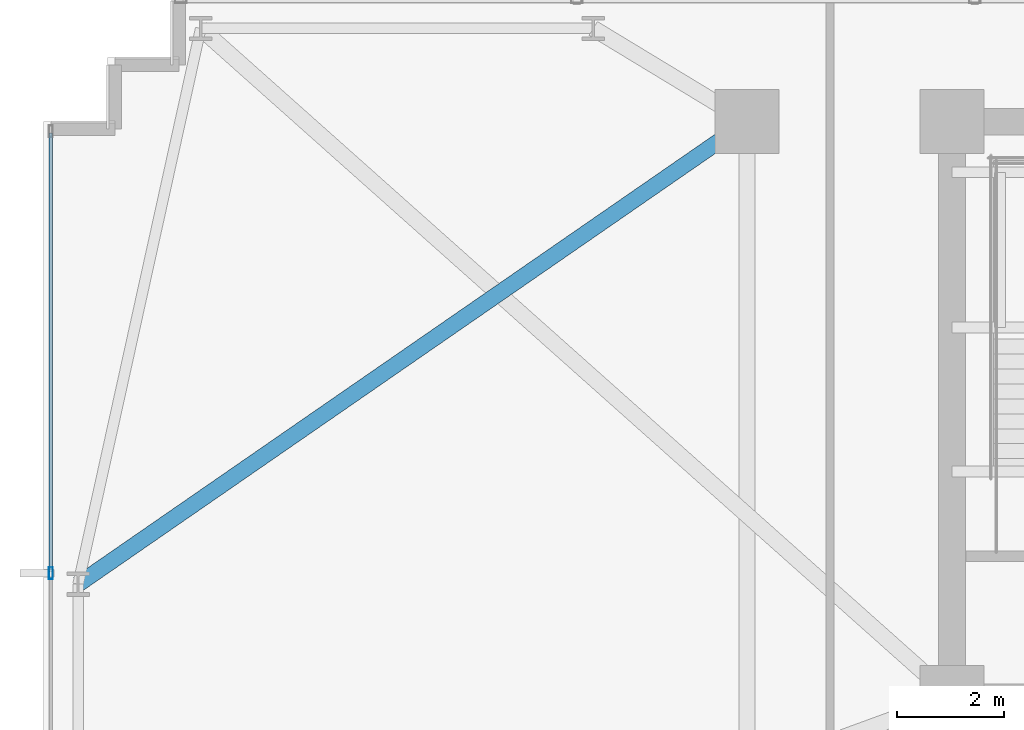
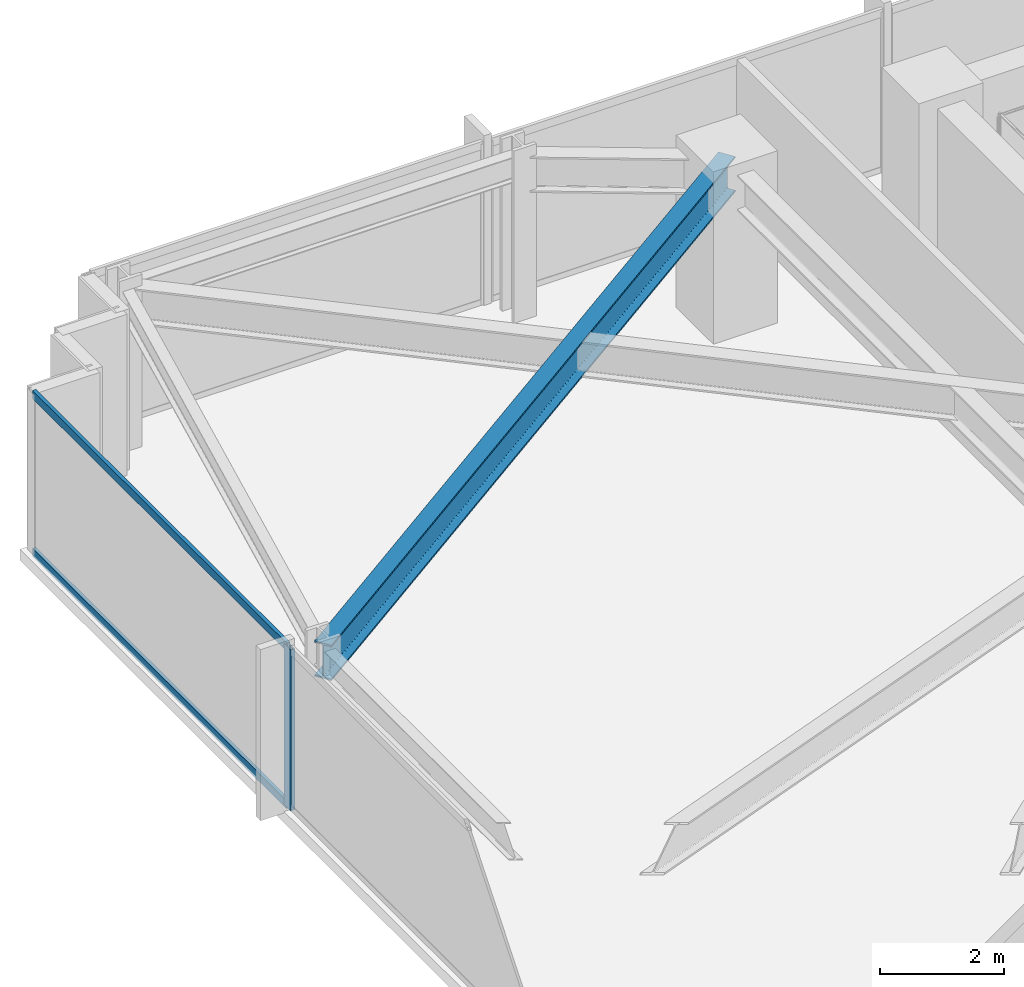
# One storey, part 9 of 32: 3 members, 1 beam, 1 element without a shape of its own.
"""IFC4 building model written with IfcOpenShell, lengths in metres."""

from ifc_helpers import new_model, si_unit, direction, frame, origin, origin_2d, place, context, subcontext, project, spatial, hollow_rectangle, i_section, extrude, material, material_profile, profile_set, type_object, element, aggregate, save


model = new_model("IFC4")

# Units and contexts
model_context = context("Model", 3, precision=1e-05, world=origin(), true_north=direction((0.0, 1.0)))
body_context = subcontext(model_context, "Body", "Model", "MODEL_VIEW")
ifc_project = project(units=[si_unit("LENGTHUNIT", "METRE"), si_unit("AREAUNIT", "SQUARE_METRE"), si_unit("VOLUMEUNIT", "CUBIC_METRE"), si_unit("PLANEANGLEUNIT", "RADIAN"), si_unit("MASSUNIT", "GRAM", prefix="KILO")], contexts=[model_context])

# Site, building, storey
site_placement = place(None, origin())
site = spatial("IfcSite", under=ifc_project, at=site_placement, CompositionType="ELEMENT")
building_placement = place(site_placement, origin())
building = spatial("IfcBuilding", under=site, at=building_placement, Name="Yelkora Congress Tower", CompositionType="ELEMENT")
storey_placement = place(building_placement, frame((0.0, 0.0, 61.0)))
storey = spatial("IfcBuildingStorey", under=building, at=storey_placement, Name="L15", CompositionType="ELEMENT", Elevation=61.0)

# Beam
ifc_material_1 = material(Name="Steel S355J2", Category="steel")
ifc_material_profile_1 = material_profile(ifc_material_1, i_section(OverallWidth=0.300048828125, OverallDepth=0.699951171875, WebThickness=0.01708984375, FlangeThickness=0.031982421875, FilletRadius=0.027099609375, at=origin_2d()), Name="HEB 700")
ifc_profile_set_1 = profile_set([ifc_material_profile_1], Name="Steel S355J2")
beam_type = type_object("IfcBeamType", Name="BM-GIRD-HEB700", PredefinedType="BEAM", material=ifc_profile_set_1)
beam_placement = place(storey_placement, frame((6.64990234375, 37.52490234375, 2.830078125), z_axis=(0.822604454175, 0.568614027238, 0.0), x_axis=(-0.568614027238, 0.822604454175, 0.0)))
element("IfcBeam", 1, at=beam_placement, inside=storey, type_object=beam_type, Name="L15 Primary Frame Girder W03", PredefinedType="BEAM", context=body_context, shape_type="SweptSolid", body=[
    extrude(i_section(OverallWidth=0.300048828125, OverallDepth=0.699951171875, WebThickness=0.01708984375, FlangeThickness=0.031982421875, FilletRadius=0.027099609375, at=origin_2d()), origin(), (0.0, 0.0, 1.0), 15.256591796875),
])

# Curtain wall, members
ifc_material_2 = material(Name="Anodised aluminium and insulated glass", Category="aluminium")
curtain_wall_type = type_object("IfcCurtainWallType", Name="CW-SYS-B1", PredefinedType="NOTDEFINED", material=ifc_material_2)
curtain_wall_placement = place(storey_placement, origin())
curtain_wall = element("IfcCurtainWall", 2, at=curtain_wall_placement, inside=storey, type_object=curtain_wall_type, Name="L15 Unitised Curtain Wall 5", PredefinedType="NOTDEFINED")
ifc_material_3 = material(Name="Anodised aluminium 6063-T6", Category="aluminium")
ifc_material_profile_2 = material_profile(ifc_material_3, hollow_rectangle(XDim=0.074951171875, YDim=0.219970703125, WallThickness=0.0048828125, at=origin_2d()), Name="ALU 75x220x5")
ifc_profile_set_2 = profile_set([ifc_material_profile_2], Name="Anodised aluminium 6063-T6")
member_type_1 = type_object("IfcMemberType", Name="MEM-ML-B1", PredefinedType="MULLION", material=ifc_profile_set_2)
member_1_placement = place(storey_placement, frame((6.139892578125, 37.72998046875, 0.0), z_axis=(0.0, 0.0, 1.0), x_axis=(-1.0, 0.0, 0.0)))
member_1 = element("IfcMember", 3, at=member_1_placement, type_object=member_type_1, Name="CW-B1 mullion 4", PredefinedType="MULLION", context=body_context, shape_type="SweptSolid", body=[
    extrude(hollow_rectangle(XDim=0.074951171875, YDim=0.219970703125, WallThickness=0.0048828125, at=origin_2d()), origin(), (0.0, 0.0, 1.0), 3.179931640625),
])
ifc_material_profile_3 = material_profile(ifc_material_3, hollow_rectangle(XDim=0.06494140625, YDim=0.159912109375, WallThickness=0.00390625, at=origin_2d()), Name="ALU 65x160x4")
ifc_profile_set_3 = profile_set([ifc_material_profile_3], Name="Anodised aluminium 6063-T6")
member_type_2 = type_object("IfcMemberType", Name="MEM-TR-B1", PredefinedType="USERDEFINED", material=ifc_profile_set_3)
member_2_placement = place(storey_placement, frame((6.139892578125, 37.767578125, 0.032470703125), z_axis=(0.0, 1.0, 0.0), x_axis=(-1.0, 0.0, 0.0)))
member_2 = element("IfcMember", 4, at=member_2_placement, type_object=member_type_2, Name="CW-B1 transom 4.1", ObjectType="TRANSOM", PredefinedType="USERDEFINED", context=body_context, shape_type="SweptSolid", body=[
    extrude(hollow_rectangle(XDim=0.06494140625, YDim=0.159912109375, WallThickness=0.00390625, at=origin_2d()), origin(), (0.0, 0.0, 1.0), 8.217529296875),
])
member_3_placement = place(storey_placement, frame((6.139892578125, 37.767578125, 3.1474609375), z_axis=(0.0, 1.0, 0.0), x_axis=(-1.0, 0.0, 0.0)))
member_3 = element("IfcMember", 5, at=member_3_placement, type_object=member_type_2, Name="CW-B1 transom 4.2", ObjectType="TRANSOM", PredefinedType="USERDEFINED", context=body_context, shape_type="SweptSolid", body=[
    extrude(hollow_rectangle(XDim=0.06494140625, YDim=0.159912109375, WallThickness=0.00390625, at=origin_2d()), origin(), (0.0, 0.0, 1.0), 8.217529296875),
])
aggregate(curtain_wall, [member_1, member_2, member_3])

save(model, "model.ifc")
